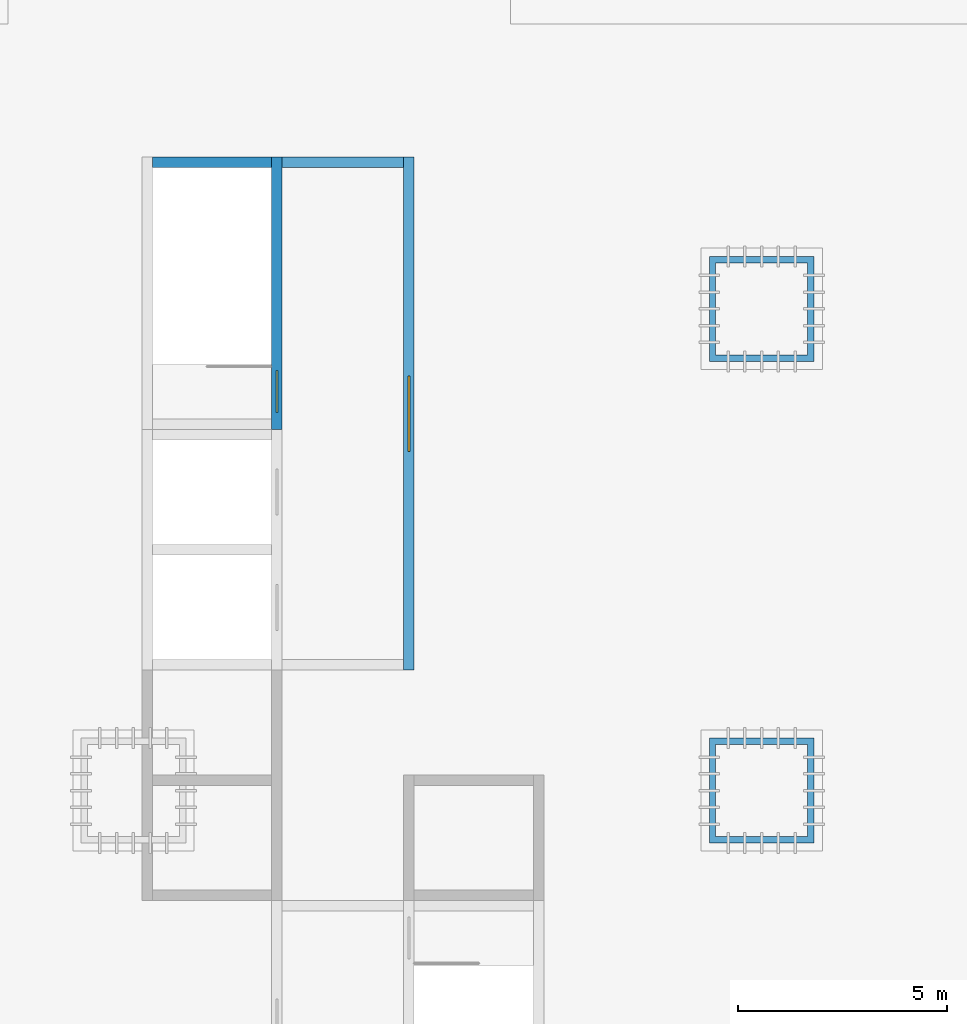
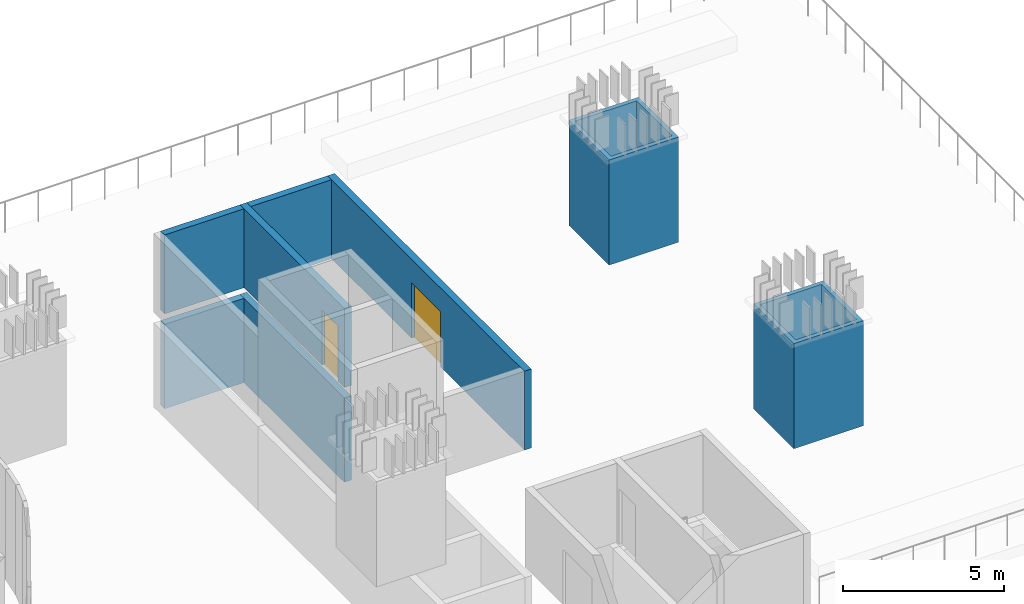
# One storey, part 4 of 8: 8 walls, 2 doors, 2 openings.
"""IFC4 building model written with IfcOpenShell, lengths in metres."""

from ifc_helpers import new_model, si_unit, direction, frame, frame_2d, origin, place, context, subcontext, project, spatial, polyline, rectangle, outline, extrude, material, layer, layer_set, type_object, element, fill, save


model = new_model("IFC4")

# Units and contexts
model_context = context("Model", 3, precision=1e-05, world=origin(), true_north=direction((0.0, 1.0)))
body_context = subcontext(model_context, "Body", "Model", "MODEL_VIEW")
ifc_project = project(units=[si_unit("LENGTHUNIT", "METRE"), si_unit("AREAUNIT", "SQUARE_METRE"), si_unit("VOLUMEUNIT", "CUBIC_METRE"), si_unit("PLANEANGLEUNIT", "RADIAN"), si_unit("MASSUNIT", "GRAM", prefix="KILO")], contexts=[model_context])

# Site, building, storey
site_placement = place(None, origin())
site = spatial("IfcSite", under=ifc_project, at=site_placement, CompositionType="ELEMENT")
building_placement = place(site_placement, origin())
building = spatial("IfcBuilding", under=site, at=building_placement, Name="Mahtab Terrace Research Tower", CompositionType="ELEMENT")
storey_placement = place(building_placement, frame((0.0, 0.0, 289.699951171875)))
storey = spatial("IfcBuildingStorey", under=building, at=storey_placement, Name="L70", CompositionType="ELEMENT", Elevation=289.699951171875)

# Walls
ifc_material_1 = material(Name="Black aluminium cladding panel", Category="aluminium")
ifc_layer_1 = layer(ifc_material_1, 0.14990234375)
ifc_layer_set_1 = layer_set([ifc_layer_1], Name="Badgir exhaust stack wall 150")
wall_type_1 = type_object("IfcWallType", Name="Badgir exhaust stack wall 150", PredefinedType="USERDEFINED", material=ifc_layer_set_1)
wall_1_placement = place(storey_placement, origin())
element("IfcWall", 1, at=wall_1_placement, inside=storey, type_object=wall_type_1, Name="Badgir exhaust stack 7", ObjectType="PLANT STACK", PredefinedType="USERDEFINED", context=body_context, shape_type="SweptSolid", body=[
    extrude(outline(polyline([(35.25, -1.25), (35.25, 1.25), (32.75, 1.25), (32.75, -1.25), (35.25, -1.25)]), holes=[polyline([(35.10009765625, -1.10009765625), (35.10009765625, 1.10009765625), (32.89990234375, 1.10009765625), (32.89990234375, -1.10009765625), (35.10009765625, -1.10009765625)])]), origin(), (0.0, 0.0, 1.0), 4.0),
])
wall_2_placement = place(storey_placement, origin())
element("IfcWall", 2, at=wall_2_placement, inside=storey, type_object=wall_type_1, Name="Badgir exhaust stack 8", ObjectType="PLANT STACK", PredefinedType="USERDEFINED", context=body_context, shape_type="SweptSolid", body=[
    extrude(outline(polyline([(35.25, 10.25), (35.25, 12.75), (32.75, 12.75), (32.75, 10.25), (35.25, 10.25)]), holes=[polyline([(35.10009765625, 10.39990234375), (35.10009765625, 12.60009765625), (32.89990234375, 12.60009765625), (32.89990234375, 10.39990234375), (35.10009765625, 10.39990234375)])]), origin(), (0.0, 0.0, 1.0), 4.0),
])
ifc_material_2 = material(Name="Concrete C70/85", Category="concrete")
ifc_layer_2 = layer(ifc_material_2, 0.25)
ifc_layer_set_2 = layer_set([ifc_layer_2], Name="Core wall 250")
wall_type_2 = type_object("IfcWallType", Name="Core wall 250", PredefinedType="SOLIDWALL", material=ifc_layer_set_2)
wall_3_placement = place(storey_placement, frame((22.425048828125, 8.625, -3.599853515625), z_axis=(0.0, 0.0, 1.0), x_axis=(0.0, 1.0, 0.0)))
element("IfcWall", 3, at=wall_3_placement, inside=storey, type_object=wall_type_2, Name="Stair ST3 plenum wall E", PredefinedType="SOLIDWALL", context=body_context, shape_type="SweptSolid", body=[
    extrude(rectangle(XDim=6.5, YDim=0.25, at=frame_2d((3.25, 0.0))), origin(), (0.0, 0.0, 1.0), 3.199951171875),
])
wall_4_placement = place(storey_placement, frame((19.449951171875, 15.0, -3.599853515625), z_axis=(0.0, 0.0, 1.0), x_axis=(1.0, 0.0, 0.0)))
element("IfcWall", 4, at=wall_4_placement, inside=storey, type_object=wall_type_2, Name="Stair ST3 plenum wall N", PredefinedType="SOLIDWALL", context=body_context, shape_type="SweptSolid", body=[
    extrude(rectangle(XDim=2.85009765625, YDim=0.25, at=frame_2d((1.425048828125, 0.0))), origin(), (0.0, 0.0, 1.0), 3.199951171875),
])

# Wall, opening, door
wall_5_placement = place(storey_placement, frame((22.425048828125, 8.625, 0.0), z_axis=(0.0, 0.0, 1.0), x_axis=(0.0, 1.0, 0.0)))
wall_5 = element("IfcWall", 5, at=wall_5_placement, inside=storey, type_object=wall_type_2, Name="Stair ST3 head house wall E", PredefinedType="SOLIDWALL", context=body_context, shape_type="SweptSolid", body=[
    extrude(rectangle(XDim=6.5, YDim=0.25, at=frame_2d((3.25, 0.0))), origin(), (0.0, 0.0, 1.0), 3.0),
])
opening_1_placement = place(wall_5_placement, frame((0.39990234375, 0.0, 0.0)))
opening_1 = element("IfcOpeningElement", 6, at=opening_1_placement, cuts=wall_5, Name="Opening ST3-HD", PredefinedType="OPENING", context=body_context, shape_type="SweptSolid", body=[
    extrude(rectangle(XDim=1.0, YDim=2.10009765625, at=frame_2d((0.5, 1.050048828125))), frame((0.0, 0.135009765625, 0.0), z_axis=(0.0, -1.0, 0.0), x_axis=(1.0, 0.0, 0.0)), (0.0, 0.0, 1.0), 0.27001953125),
])
ifc_material_3 = material(Name="Steel fire door", Category="steel")
door_type_1 = type_object("IfcDoorType", Name="Stair door 1000x2100 1.5 HR", OperationType="NOTDEFINED", PredefinedType="DOOR", material=ifc_material_3)
door_1_placement = place(opening_1_placement, origin())
door_1 = element("IfcDoor", 7, at=door_1_placement, inside=storey, type_object=door_type_1, Name="Stair door ST3 L70", OperationType="SINGLE_SWING_LEFT", OverallHeight=2.10009765625, OverallWidth=1.0, PredefinedType="DOOR", context=body_context, shape_type="SweptSolid", body=[
    extrude(rectangle(XDim=1.0, YDim=2.10009765625, at=frame_2d((0.5, 1.050048828125))), frame((0.0, 0.02490234375, 0.0), z_axis=(0.0, -1.0, 0.0), x_axis=(1.0, 0.0, 0.0)), (0.0, 0.0, 1.0), 0.050048828125),
])
fill(opening_1, door_1)

# Walls
wall_6_placement = place(storey_placement, frame((19.449951171875, 15.0, 0.0), z_axis=(0.0, 0.0, 1.0), x_axis=(1.0, 0.0, 0.0)))
element("IfcWall", 8, at=wall_6_placement, inside=storey, type_object=wall_type_2, Name="Stair ST3 head house wall N", PredefinedType="SOLIDWALL", context=body_context, shape_type="SweptSolid", body=[
    extrude(rectangle(XDim=2.85009765625, YDim=0.25, at=frame_2d((1.425048828125, 0.0))), origin(), (0.0, 0.0, 1.0), 3.0),
])
wall_7_placement = place(storey_placement, frame((22.550048828125, 15.0, 0.0), z_axis=(0.0, 0.0, 1.0), x_axis=(1.0, 0.0, 0.0)))
element("IfcWall", 9, at=wall_7_placement, inside=storey, type_object=wall_type_2, Name="Roof lobby wall N", PredefinedType="SOLIDWALL", context=body_context, shape_type="SweptSolid", body=[
    extrude(rectangle(XDim=2.89990234375, YDim=0.25, at=frame_2d((1.449951171875, 0.0))), origin(), (0.0, 0.0, 1.0), 3.0),
])

# Wall, opening, door
wall_8_placement = place(storey_placement, frame((25.574951171875, 2.875, 0.0), z_axis=(0.0, 0.0, 1.0), x_axis=(0.0, 1.0, 0.0)))
wall_8 = element("IfcWall", 10, at=wall_8_placement, inside=storey, type_object=wall_type_2, Name="Roof lobby wall E", PredefinedType="SOLIDWALL", context=body_context, shape_type="SweptSolid", body=[
    extrude(rectangle(XDim=12.25, YDim=0.25, at=frame_2d((6.125, 0.0))), origin(), (0.0, 0.0, 1.0), 3.0),
])
opening_2_placement = place(wall_8_placement, frame((5.22509765625, 0.0, 0.0)))
opening_2 = element("IfcOpeningElement", 11, at=opening_2_placement, cuts=wall_8, Name="Opening C-RL-EX", PredefinedType="OPENING", context=body_context, shape_type="SweptSolid", body=[
    extrude(rectangle(XDim=1.800048828125, YDim=2.10009765625, at=frame_2d((0.89990234375, 1.050048828125))), frame((0.0, 0.135009765625, 0.0), z_axis=(0.0, -1.0, 0.0), x_axis=(1.0, 0.0, 0.0)), (0.0, 0.0, 1.0), 0.27001953125),
])
door_type_2 = type_object("IfcDoorType", Name="Lobby double door 1800x2100 1 HR", OperationType="DOUBLE_DOOR_SINGLE_SWING", PredefinedType="DOOR", material=ifc_material_3)
door_2_placement = place(opening_2_placement, origin())
door_2 = element("IfcDoor", 12, at=door_2_placement, inside=storey, type_object=door_type_2, Name="Roof lobby exit door", OperationType="DOUBLE_DOOR_SINGLE_SWING", OverallHeight=2.10009765625, OverallWidth=1.800048828125, PredefinedType="DOOR", context=body_context, shape_type="SweptSolid", body=[
    extrude(rectangle(XDim=1.800048828125, YDim=2.10009765625, at=frame_2d((0.89990234375, 1.050048828125))), frame((0.0, 0.02490234375, 0.0), z_axis=(0.0, -1.0, 0.0), x_axis=(1.0, 0.0, 0.0)), (0.0, 0.0, 1.0), 0.050048828125),
])
fill(opening_2, door_2)

save(model, "model.ifc")
